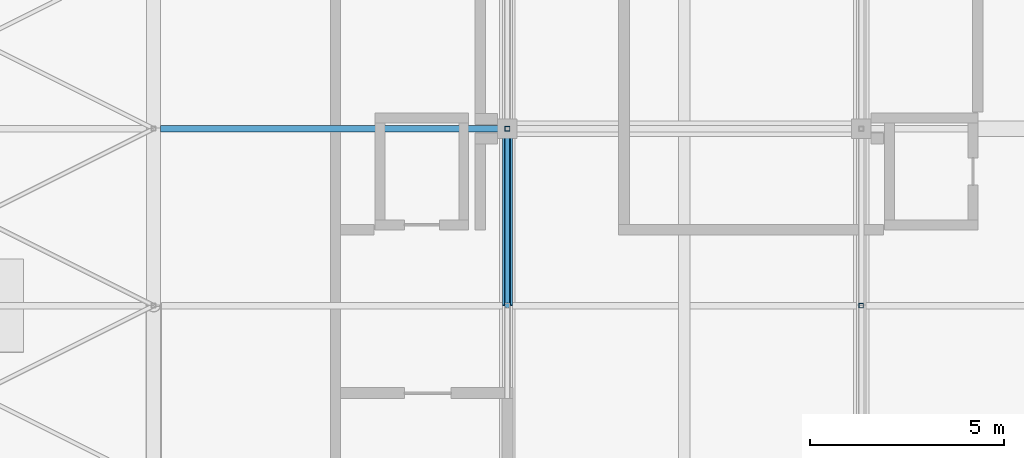
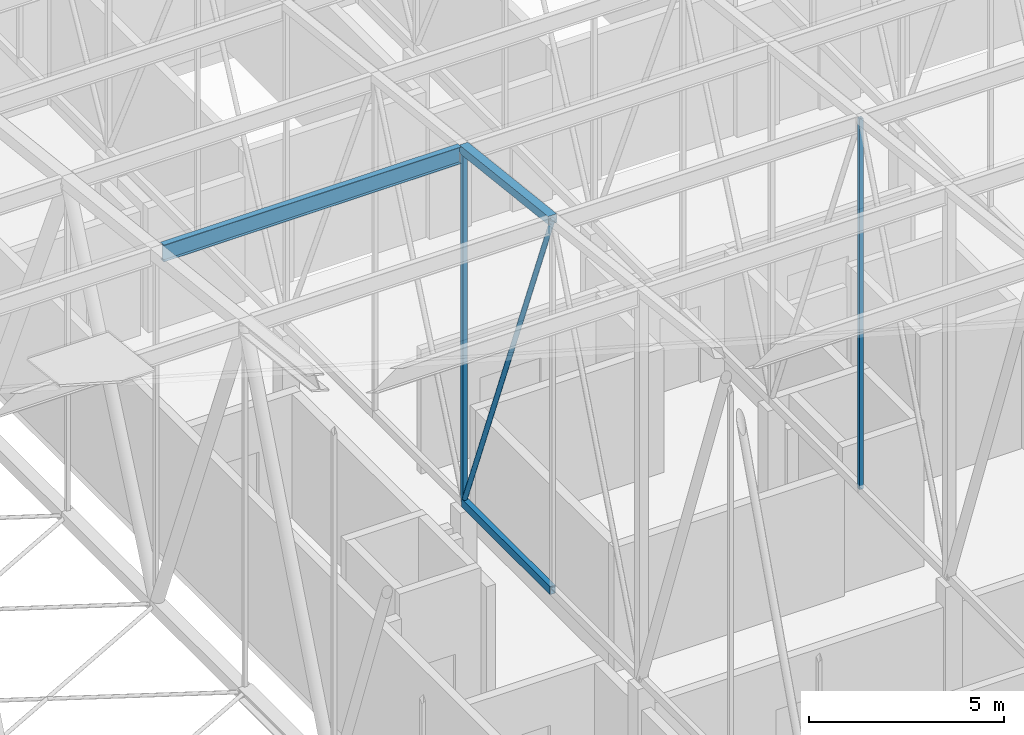
# One storey, part 289 of 500: 6 members.
"""IFC4 building model written with IfcOpenShell, lengths in metres."""

from ifc_helpers import new_model, si_unit, direction, frame, origin, origin_2d, place, context, subcontext, project, spatial, hollow_rectangle, hollow_circle, i_section, extrude, material, material_profile, profile_set, type_object, element, save


model = new_model("IFC4")

# Units and contexts
model_context = context("Model", 3, precision=1e-05, world=origin(), true_north=direction((0.0, 1.0)))
body_context = subcontext(model_context, "Body", "Model", "MODEL_VIEW")
ifc_project = project(units=[si_unit("LENGTHUNIT", "METRE"), si_unit("AREAUNIT", "SQUARE_METRE"), si_unit("VOLUMEUNIT", "CUBIC_METRE"), si_unit("PLANEANGLEUNIT", "RADIAN"), si_unit("MASSUNIT", "GRAM", prefix="KILO")], contexts=[model_context])

# Site, building, storey
site_placement = place(None, origin())
site = spatial("IfcSite", under=ifc_project, at=site_placement, CompositionType="ELEMENT")
building_placement = place(site_placement, origin())
building = spatial("IfcBuilding", under=site, at=building_placement, Name="Shirokan Park Arena", CompositionType="ELEMENT")
storey_placement = place(building_placement, frame((0.0, 0.0, 29.1201171875)))
storey = spatial("IfcBuildingStorey", under=building, at=storey_placement, Name="L06", CompositionType="ELEMENT", Elevation=29.1201171875)

# Members
ifc_material_1 = material(Name="Steel ASTM A500 Grade C", Category="steel")
ifc_material_profile_1 = material_profile(ifc_material_1, hollow_rectangle(XDim=0.152099609375, YDim=0.25390625, WallThickness=0.009521484375, at=origin_2d()), Name="HSS254X152.4X9.5")
ifc_profile_set_1 = profile_set([ifc_material_profile_1], Name="Steel ASTM A500 Grade C")
member_type_1 = type_object("IfcMemberType", Name="Bottom chord HSS254X152.4X9.5", PredefinedType="CHORD", material=ifc_profile_set_1)
member_1_placement = place(storey_placement, frame((109.199951171875, 77.35009765625, 4.677001953125), z_axis=(0.0, 1.0, 0.0), x_axis=(-1.0, 0.0, 0.0)))
element("IfcMember", 1, at=member_1_placement, inside=storey, type_object=member_type_1, Name="Truss T13 bottom chord 20", PredefinedType="CHORD", context=body_context, shape_type="SweptSolid", body=[
    extrude(hollow_rectangle(XDim=0.152099609375, YDim=0.25390625, WallThickness=0.009521484375, at=origin_2d()), origin(), (0.0, 0.0, 1.0), 4.5498046875),
])
ifc_material_2 = material(Name="Steel ASTM A992", Category="steel")
ifc_material_profile_2 = material_profile(ifc_material_2, i_section(OverallWidth=0.166015625, OverallDepth=0.528076171875, WebThickness=0.009765625, FlangeThickness=0.013671875, at=origin_2d()), Name="W530X74")
ifc_profile_set_2 = profile_set([ifc_material_profile_2], Name="Steel ASTM A992")
member_type_2 = type_object("IfcMemberType", Name="Purlin W530X74", PredefinedType="PURLIN", material=ifc_profile_set_2)
member_2_placement = place(storey_placement, frame((100.278076171875, 81.89990234375, 15.60595703125), z_axis=(1.0, 0.0, 0.0), x_axis=(0.0, 1.0, 0.0)))
element("IfcMember", 2, at=member_2_placement, inside=storey, type_object=member_type_2, Name="Purlin 21 bay 12", PredefinedType="PURLIN", context=body_context, shape_type="SweptSolid", body=[
    extrude(i_section(OverallWidth=0.166015625, OverallDepth=0.528076171875, WebThickness=0.009765625, FlangeThickness=0.013671875, at=origin_2d()), origin(), (0.0, 0.0, 1.0), 8.794921875),
])
ifc_material_profile_3 = material_profile(ifc_material_1, hollow_rectangle(XDim=0.25390625, YDim=0.25390625, WallThickness=0.009521484375, at=origin_2d()), Name="HSS254X254X9.5")
ifc_profile_set_3 = profile_set([ifc_material_profile_3], Name="Steel ASTM A500 Grade C")
member_type_3 = type_object("IfcMemberType", Name="Top chord HSS254X254X9.5", PredefinedType="CHORD", material=ifc_profile_set_3)
member_3_placement = place(storey_placement, frame((109.199951171875, 77.35009765625, 16.262939453125), z_axis=(0.0, 0.993531641592, -0.11355561261), x_axis=(-1.0, 0.0, 0.0)))
element("IfcMember", 3, at=member_3_placement, inside=storey, type_object=member_type_3, Name="Truss T13 top chord 20", PredefinedType="CHORD", context=body_context, shape_type="SweptSolid", body=[
    extrude(hollow_rectangle(XDim=0.25390625, YDim=0.25390625, WallThickness=0.009521484375, at=origin_2d()), origin(), (0.0, 0.0, 1.0), 4.579345703125),
])
ifc_material_profile_4 = material_profile(ifc_material_1, hollow_circle(Radius=0.070556640625, WallThickness=0.006591796875, at=origin_2d()), Name="HSS141.3X6.6")
ifc_profile_set_4 = profile_set([ifc_material_profile_4], Name="Steel ASTM A500 Grade C")
member_type_4 = type_object("IfcMemberType", Name="Truss diagonal HSS141.3X6.6", PredefinedType="BRACE", material=ifc_profile_set_4)
member_4_placement = place(storey_placement, frame((109.199951171875, 77.35009765625, 16.262939453125), z_axis=(0.0, 0.365526146051, -0.930801072493), x_axis=(-1.0, 0.0, 0.0)))
element("IfcMember", 4, at=member_4_placement, inside=storey, type_object=member_type_4, Name="Truss T13 diagonal 20", PredefinedType="BRACE", context=body_context, shape_type="SweptSolid", body=[
    extrude(hollow_circle(Radius=0.070556640625, WallThickness=0.006591796875, at=origin_2d()), origin(), (0.0, 0.0, 1.0), 12.447265625),
])
ifc_material_profile_5 = material_profile(ifc_material_1, hollow_rectangle(XDim=0.114013671875, YDim=0.114013671875, WallThickness=0.00634765625, at=origin_2d()), Name="HSS114.3X114.3X6.4")
ifc_profile_set_5 = profile_set([ifc_material_profile_5], Name="Steel ASTM A500 Grade C")
member_type_5 = type_object("IfcMemberType", Name="Truss post HSS114.3X114.3X6.4", PredefinedType="POST", material=ifc_profile_set_5)
member_5_placement = place(storey_placement, frame((118.300048828125, 77.35009765625, 4.677001953125), z_axis=(0.0, 0.0, 1.0), x_axis=(1.0, 0.0, 0.0)))
element("IfcMember", 5, at=member_5_placement, inside=storey, type_object=member_type_5, Name="Truss T14 post 20", PredefinedType="POST", context=body_context, shape_type="SweptSolid", body=[
    extrude(hollow_rectangle(XDim=0.114013671875, YDim=0.114013671875, WallThickness=0.00634765625, at=origin_2d()), origin(), (0.0, 0.0, 1.0), 11.5859375),
])
ifc_material_profile_6 = material_profile(ifc_material_1, hollow_rectangle(XDim=0.126953125, YDim=0.126953125, WallThickness=0.008056640625, at=origin_2d()), Name="HSS127X127X7.9")
ifc_profile_set_6 = profile_set([ifc_material_profile_6], Name="Steel ASTM A500 Grade C")
member_type_6 = type_object("IfcMemberType", Name="Truss post HSS127X127X7.9", PredefinedType="POST", material=ifc_profile_set_6)
member_6_placement = place(storey_placement, frame((109.199951171875, 81.89990234375, 4.677001953125), z_axis=(0.0, 0.0, 1.0), x_axis=(1.0, 0.0, 0.0)))
element("IfcMember", 6, at=member_6_placement, inside=storey, type_object=member_type_6, Name="Truss T13 post 21", PredefinedType="POST", context=body_context, shape_type="SweptSolid", body=[
    extrude(hollow_rectangle(XDim=0.126953125, YDim=0.126953125, WallThickness=0.008056640625, at=origin_2d()), origin(), (0.0, 0.0, 1.0), 11.06591796875),
])

save(model, "model.ifc")
